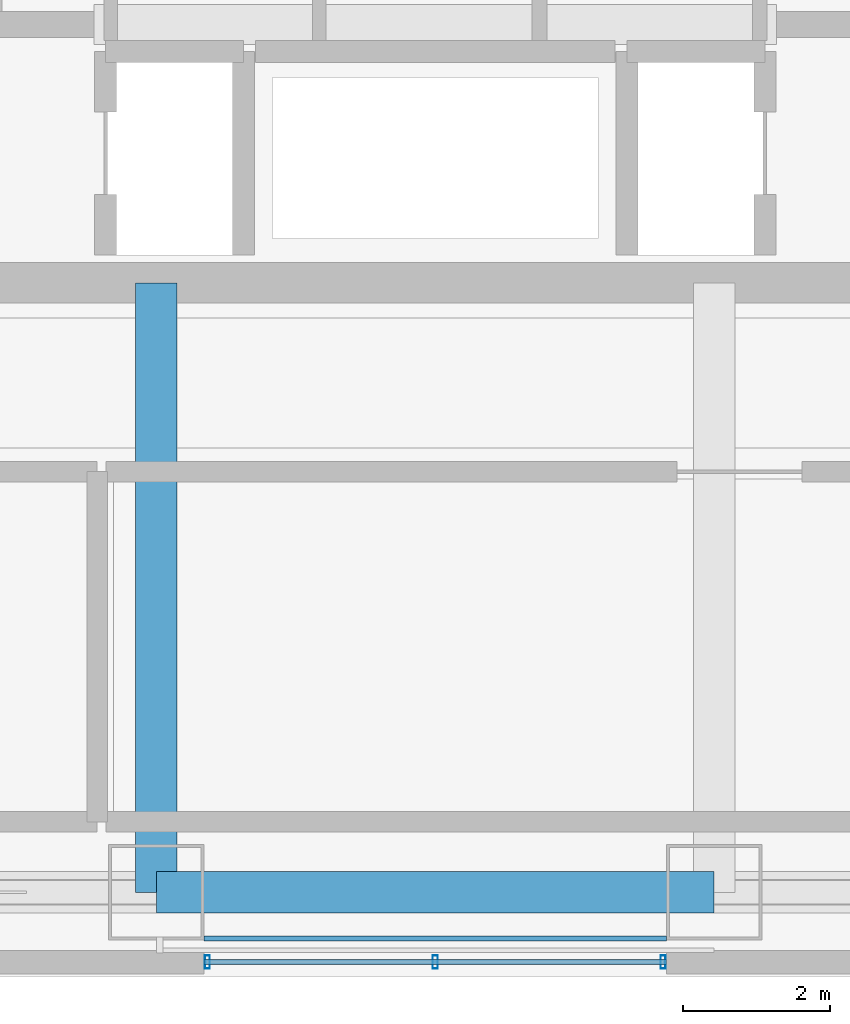
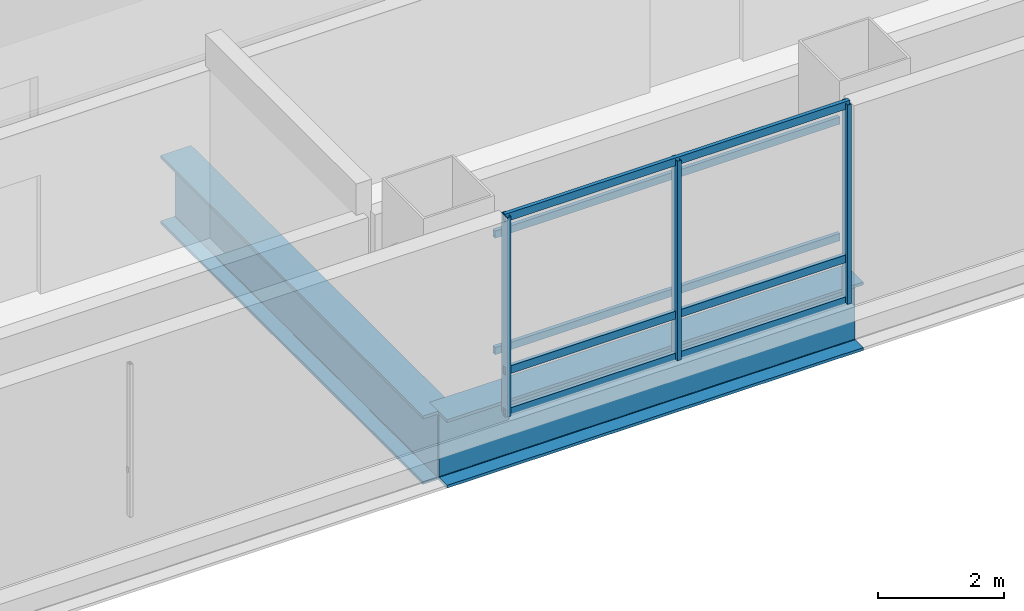
# One storey, part 3 of 30: 8 members, 2 beams, 1 element without a shape of its own.
"""IFC4 building model written with IfcOpenShell, lengths in metres."""

from ifc_helpers import new_model, si_unit, direction, frame, origin, origin_2d, place, context, subcontext, project, spatial, hollow_rectangle, i_section, extrude, material, material_profile, profile_set, type_object, element, aggregate, save


model = new_model("IFC4")

# Units and contexts
model_context = context("Model", 3, precision=1e-05, world=origin(), true_north=direction((0.0, 1.0)))
body_context = subcontext(model_context, "Body", "Model", "MODEL_VIEW")
ifc_project = project(units=[si_unit("LENGTHUNIT", "METRE"), si_unit("AREAUNIT", "SQUARE_METRE"), si_unit("VOLUMEUNIT", "CUBIC_METRE"), si_unit("PLANEANGLEUNIT", "RADIAN"), si_unit("MASSUNIT", "GRAM", prefix="KILO")], contexts=[model_context])

# Site, building, storey
site_placement = place(None, origin())
site = spatial("IfcSite", under=ifc_project, at=site_placement, CompositionType="ELEMENT")
building_placement = place(site_placement, origin())
building = spatial("IfcBuilding", under=site, at=building_placement, Name="Punatoya Terracotta Tower", CompositionType="ELEMENT")
storey_placement = place(building_placement, frame((0.0, 0.0, 251.39990234375)))
storey = spatial("IfcBuildingStorey", under=building, at=storey_placement, Name="L59", CompositionType="ELEMENT", Elevation=251.39990234375)

# Beams
ifc_material_1 = material(Name="Steel S460", Category="steel")
ifc_material_profile_1 = material_profile(ifc_material_1, i_section(OverallWidth=0.56005859375, OverallDepth=1.320068359375, WebThickness=0.035888671875, FlangeThickness=0.054931640625, FilletRadius=0.01806640625, at=origin_2d()))
ifc_profile_set_1 = profile_set([ifc_material_profile_1], Name="Steel S460")
beam_type = type_object("IfcBeamType", Name="BM-TG-BLK", PredefinedType="BEAM", material=ifc_profile_set_1)
beam_1_placement = place(storey_placement, frame((-3.800048828125, -17.5, -0.93994140625), z_axis=(1.0, 0.0, 0.0), x_axis=(0.0, 1.0, 0.0)))
element("IfcBeam", 1, at=beam_1_placement, inside=storey, type_object=beam_type, Name="BM-L59-RG-S2", PredefinedType="BEAM", context=body_context, shape_type="SweptSolid", body=[
    extrude(i_section(OverallWidth=0.56005859375, OverallDepth=1.320068359375, WebThickness=0.035888671875, FlangeThickness=0.054931640625, FilletRadius=0.01806640625, at=origin_2d()), origin(), (0.0, 0.0, 1.0), 7.60009765625),
])
beam_2_placement = place(storey_placement, frame((-3.800048828125, -17.5, -0.93994140625), z_axis=(0.0, 1.0, 0.0), x_axis=(-1.0, 0.0, 0.0)))
element("IfcBeam", 2, at=beam_2_placement, inside=storey, type_object=beam_type, Name="BM-L59-PR-S2", PredefinedType="BEAM", context=body_context, shape_type="SweptSolid", body=[
    extrude(i_section(OverallWidth=0.56005859375, OverallDepth=1.320068359375, WebThickness=0.035888671875, FlangeThickness=0.054931640625, FilletRadius=0.01806640625, at=origin_2d()), origin(), (0.0, 0.0, 1.0), 8.300048828125),
])

# Curtain wall, members
ifc_material_2 = material(Name="Aluminium 6063-T6 + Double Low-E Glass", Category="aluminium")
curtain_wall_type = type_object("IfcCurtainWallType", Name="CW-M3", PredefinedType="NOTDEFINED", material=ifc_material_2)
curtain_wall_placement = place(storey_placement, origin())
curtain_wall = element("IfcCurtainWall", 3, at=curtain_wall_placement, inside=storey, type_object=curtain_wall_type, Name="L59 Curtain Wall CW-L59-S01-1", PredefinedType="NOTDEFINED")
ifc_material_3 = material(Name="Aluminium 6063-T6", Category="aluminium")
ifc_material_profile_2 = material_profile(ifc_material_3, hollow_rectangle(XDim=0.070068359375, YDim=0.179931640625, WallThickness=0.00390625, at=origin_2d()))
ifc_profile_set_2 = profile_set([ifc_material_profile_2], Name="Aluminium 6063-T6")
member_type_1 = type_object("IfcMemberType", Name="CW-MUL-M3", PredefinedType="MULLION", material=ifc_profile_set_2)
member_1_placement = place(storey_placement, frame((-3.10498046875, -18.449951171875, 0.0), z_axis=(0.0, 0.0, 1.0), x_axis=(1.0, 0.0, 0.0)))
member_1 = element("IfcMember", 4, at=member_1_placement, type_object=member_type_1, Name="CW-L59-S01-1 Mullion 00", PredefinedType="MULLION", context=body_context, shape_type="SweptSolid", body=[
    extrude(hollow_rectangle(XDim=0.070068359375, YDim=0.179931640625, WallThickness=0.00390625, at=origin_2d()), origin(), (0.0, 0.0, 1.0), 3.85009765625),
])
member_2_placement = place(storey_placement, frame((0.0, -18.449951171875, 0.0), z_axis=(0.0, 0.0, 1.0), x_axis=(1.0, 0.0, 0.0)))
member_2 = element("IfcMember", 5, at=member_2_placement, type_object=member_type_1, Name="CW-L59-S01-1 Mullion 01", PredefinedType="MULLION", context=body_context, shape_type="SweptSolid", body=[
    extrude(hollow_rectangle(XDim=0.070068359375, YDim=0.179931640625, WallThickness=0.00390625, at=origin_2d()), origin(), (0.0, 0.0, 1.0), 3.85009765625),
])
member_3_placement = place(storey_placement, frame((3.10498046875, -18.449951171875, 0.0), z_axis=(0.0, 0.0, 1.0), x_axis=(1.0, 0.0, 0.0)))
member_3 = element("IfcMember", 6, at=member_3_placement, type_object=member_type_1, Name="CW-L59-S01-1 Mullion 02", PredefinedType="MULLION", context=body_context, shape_type="SweptSolid", body=[
    extrude(hollow_rectangle(XDim=0.070068359375, YDim=0.179931640625, WallThickness=0.00390625, at=origin_2d()), origin(), (0.0, 0.0, 1.0), 3.85009765625),
])
ifc_material_profile_3 = material_profile(ifc_material_3, hollow_rectangle(XDim=0.068115234375, YDim=0.14990234375, WallThickness=0.00390625, at=origin_2d()))
ifc_profile_set_3 = profile_set([ifc_material_profile_3], Name="Aluminium 6063-T6")
member_type_2 = type_object("IfcMemberType", Name="CW-TRN-TYP", PredefinedType="USERDEFINED", material=ifc_profile_set_3)
member_4_placement = place(storey_placement, frame((-3.14990234375, -18.449951171875, 0.0400390625), z_axis=(1.0, 0.0, 0.0), x_axis=(0.0, 1.0, 0.0)))
member_4 = element("IfcMember", 7, at=member_4_placement, type_object=member_type_2, Name="CW-L59-S01-1 Transom 1", ObjectType="TRANSOM", PredefinedType="USERDEFINED", context=body_context, shape_type="SweptSolid", body=[
    extrude(hollow_rectangle(XDim=0.068115234375, YDim=0.14990234375, WallThickness=0.00390625, at=origin_2d()), origin(), (0.0, 0.0, 1.0), 6.2998046875),
])
member_5_placement = place(storey_placement, frame((-3.14990234375, -18.449951171875, 0.85009765625), z_axis=(1.0, 0.0, 0.0), x_axis=(0.0, 1.0, 0.0)))
member_5 = element("IfcMember", 8, at=member_5_placement, type_object=member_type_2, Name="CW-L59-S01-1 Transom 2", ObjectType="TRANSOM", PredefinedType="USERDEFINED", context=body_context, shape_type="SweptSolid", body=[
    extrude(hollow_rectangle(XDim=0.068115234375, YDim=0.14990234375, WallThickness=0.00390625, at=origin_2d()), origin(), (0.0, 0.0, 1.0), 6.2998046875),
])
member_6_placement = place(storey_placement, frame((-3.14990234375, -18.449951171875, 3.81005859375), z_axis=(1.0, 0.0, 0.0), x_axis=(0.0, 1.0, 0.0)))
member_6 = element("IfcMember", 9, at=member_6_placement, type_object=member_type_2, Name="CW-L59-S01-1 Transom 3", ObjectType="TRANSOM", PredefinedType="USERDEFINED", context=body_context, shape_type="SweptSolid", body=[
    extrude(hollow_rectangle(XDim=0.068115234375, YDim=0.14990234375, WallThickness=0.00390625, at=origin_2d()), origin(), (0.0, 0.0, 1.0), 6.2998046875),
])
aggregate(curtain_wall, [member_1, member_2, member_3, member_4, member_5, member_6])

# Members
ifc_material_4 = material(Name="Steel S355", Category="steel")
ifc_material_profile_4 = material_profile(ifc_material_4, hollow_rectangle(XDim=0.070068359375, YDim=0.139892578125, WallThickness=0.006103515625, at=origin_2d()))
ifc_profile_set_4 = profile_set([ifc_material_profile_4], Name="Steel S355")
member_type_3 = type_object("IfcMemberType", Name="MEM-BAG-RAIL", PredefinedType="USERDEFINED", material=ifc_profile_set_4)
for number, where, z_axis, x_axis, name in (
    (10, (-3.150390625, -18.132080078125, 1.050048828125), (1.0, 0.0, 0.0), (0.0, 1.0, 0.0), "L59 Terracotta Baguette Carrier Rail BAG-L59-S-R1"),
    (11, (-3.150390625, -18.132080078125, 3.300048828125), (1.0, 0.0, 0.0), (0.0, 1.0, 0.0), "L59 Terracotta Baguette Carrier Rail BAG-L59-S-R2"),
):
    element("IfcMember", number, at=place(storey_placement, frame(where, z_axis=z_axis, x_axis=x_axis)), inside=storey, type_object=member_type_3, Name=name, ObjectType="BAGUETTE", PredefinedType="USERDEFINED", context=body_context, shape_type="SweptSolid", body=[
        extrude(hollow_rectangle(XDim=0.070068359375, YDim=0.139892578125, WallThickness=0.006103515625, at=origin_2d()), origin(), (0.0, 0.0, 1.0), 6.30078125),
    ])

save(model, "model.ifc")
